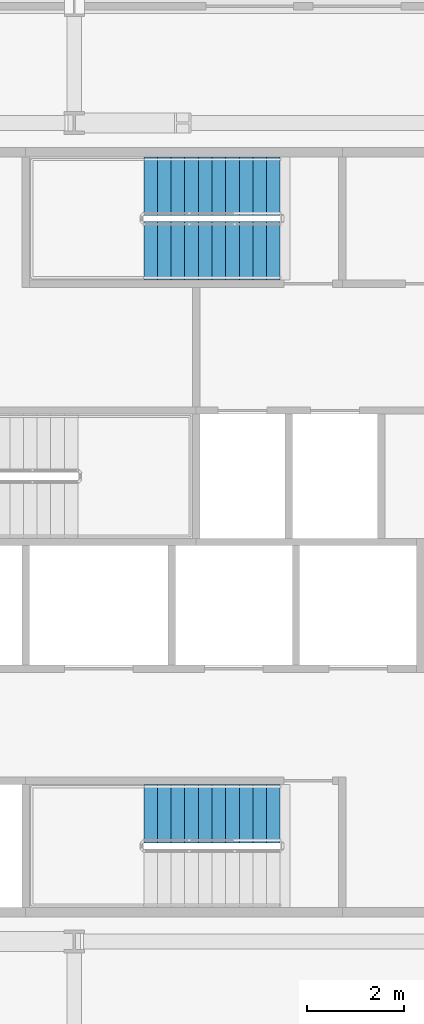
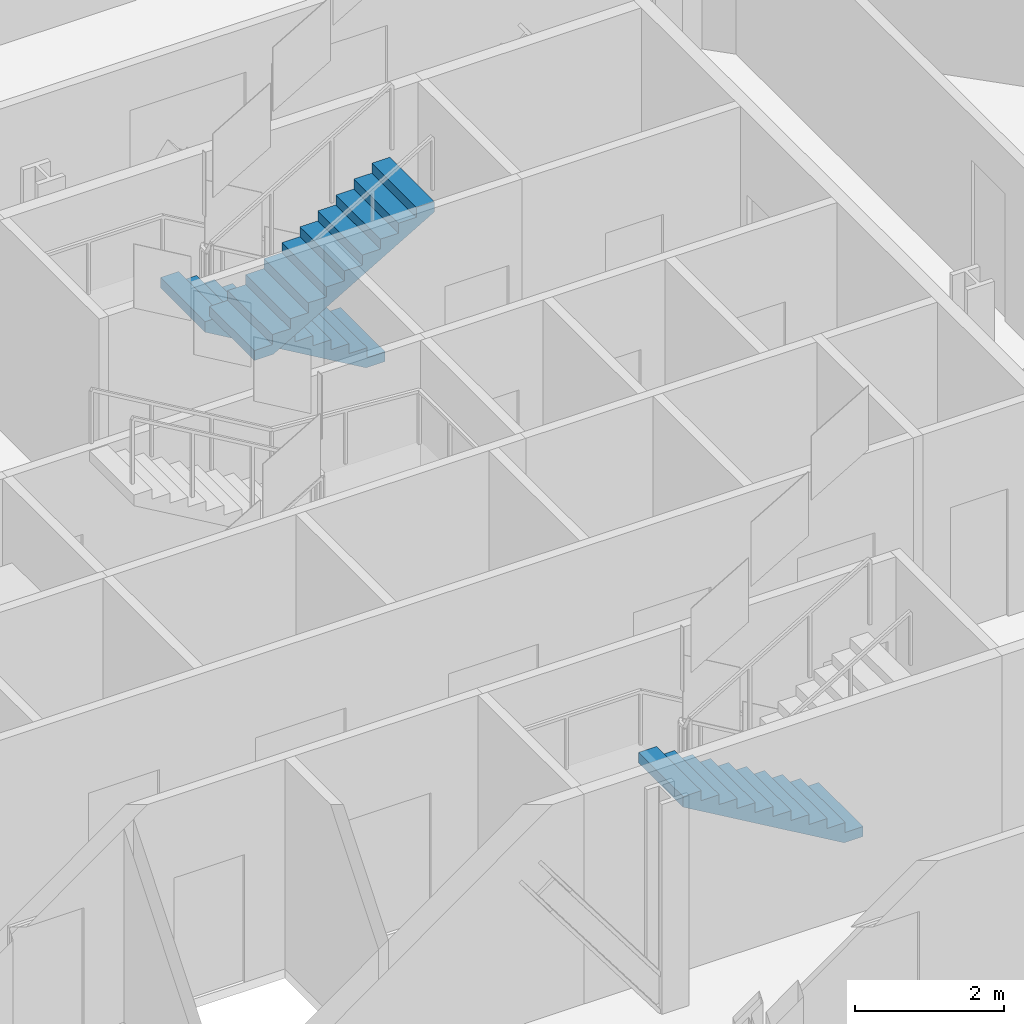
# One storey, part 16 of 24: 3 stair flights, 2 elements without a shape of their own.
"""IFC4 building model written with IfcOpenShell, lengths in metres."""

from ifc_helpers import new_model, si_unit, direction, frame, origin, place, context, subcontext, project, spatial, polyline, outline, extrude, material, type_object, element, aggregate, save


model = new_model("IFC4")

# Units and contexts
model_context = context("Model", 3, precision=1e-05, world=origin(), true_north=direction((0.0, 1.0)))
body_context = subcontext(model_context, "Body", "Model", "MODEL_VIEW")
ifc_project = project(units=[si_unit("LENGTHUNIT", "METRE"), si_unit("AREAUNIT", "SQUARE_METRE"), si_unit("VOLUMEUNIT", "CUBIC_METRE"), si_unit("PLANEANGLEUNIT", "RADIAN"), si_unit("MASSUNIT", "GRAM", prefix="KILO")], contexts=[model_context])

# Site, building, storey
site_placement = place(None, origin())
site = spatial("IfcSite", under=ifc_project, at=site_placement, CompositionType="ELEMENT")
building_placement = place(site_placement, origin())
building = spatial("IfcBuilding", under=site, at=building_placement, Name="Cairn Pilgrim Tower", CompositionType="ELEMENT")
storey_placement = place(building_placement, frame((0.0, 0.0, 125.39990234375)))
storey = spatial("IfcBuildingStorey", under=building, at=storey_placement, Name="L30", CompositionType="ELEMENT", Elevation=125.39990234375)

# Stair, stair flight
ifc_material = material(Name="Concrete C32/40", Category="concrete")
stair_type = type_object("IfcStairType", Name="EXIT STAIR 1200", PredefinedType="HALF_TURN_STAIR", material=ifc_material)
stair_1_placement = place(storey_placement, origin())
stair_1 = element("IfcStair", 1, at=stair_1_placement, inside=storey, type_object=stair_type, Name="L30 Exit Stair A", PredefinedType="HALF_TURN_STAIR")
stair_flight_type = type_object("IfcStairFlightType", Name="STAIR FLIGHT 1200", PredefinedType="STRAIGHT", material=ifc_material)
stair_flight_1_placement = place(storey_placement, frame((11.425048828125, -3.375, 0.0), z_axis=(0.0, 0.0, 1.0), x_axis=(-1.0, 0.0, 0.0)))
stair_flight_1 = element("IfcStairFlight", 2, at=stair_flight_1_placement, type_object=stair_flight_type, Name="ST-A flight 1", NumberOfRisers=11, NumberOfTreads=10, PredefinedType="STRAIGHT", RiserHeight=0.163636364, TreadLength=0.28, context=body_context, shape_type="SweptSolid", body=[
    extrude(outline(polyline([(0.0, 0.0), (0.0, 0.16357421875), (0.280029296875, 0.16357421875), (0.280029296875, 0.327392578125), (0.56005859375, 0.327392578125), (0.56005859375, 0.490966796875), (0.840087890625, 0.490966796875), (0.840087890625, 0.654541015625), (1.1201171875, 0.654541015625), (1.1201171875, 0.818115234375), (1.39990234375, 0.818115234375), (1.39990234375, 0.98193359375), (1.679931640625, 0.98193359375), (1.679931640625, 1.1455078125), (1.9599609375, 1.1455078125), (1.9599609375, 1.30908203125), (2.239990234375, 1.30908203125), (2.239990234375, 1.47265625), (2.52001953125, 1.47265625), (2.52001953125, 1.636474609375), (2.800048828125, 1.636474609375), (2.800048828125, 1.800048828125), (2.800048828125, 1.462646484375), (0.297119140625, 0.0), (0.0, 0.0)])), frame((0.0, 0.60009765625, 0.0), z_axis=(0.0, -1.0, 0.0), x_axis=(1.0, 0.0, 0.0)), (0.0, 0.0, 1.0), 1.199951171875),
])
aggregate(stair_1, [stair_flight_1])

# Stair, stair flights
stair_2_placement = place(storey_placement, origin())
stair_2 = element("IfcStair", 3, at=stair_2_placement, inside=storey, type_object=stair_type, Name="L30 Exit Stair C", PredefinedType="HALF_TURN_STAIR")
stair_flight_2_placement = place(storey_placement, frame((11.425048828125, 9.5, 0.0), z_axis=(0.0, 0.0, 1.0), x_axis=(-1.0, 0.0, 0.0)))
stair_flight_2 = element("IfcStairFlight", 4, at=stair_flight_2_placement, type_object=stair_flight_type, Name="ST-C flight 1", NumberOfRisers=11, NumberOfTreads=10, PredefinedType="STRAIGHT", RiserHeight=0.163636364, TreadLength=0.28, context=body_context, shape_type="SweptSolid", body=[
    extrude(outline(polyline([(0.0, 0.0), (0.0, 0.16357421875), (0.280029296875, 0.16357421875), (0.280029296875, 0.327392578125), (0.56005859375, 0.327392578125), (0.56005859375, 0.490966796875), (0.840087890625, 0.490966796875), (0.840087890625, 0.654541015625), (1.1201171875, 0.654541015625), (1.1201171875, 0.818115234375), (1.39990234375, 0.818115234375), (1.39990234375, 0.98193359375), (1.679931640625, 0.98193359375), (1.679931640625, 1.1455078125), (1.9599609375, 1.1455078125), (1.9599609375, 1.30908203125), (2.239990234375, 1.30908203125), (2.239990234375, 1.47265625), (2.52001953125, 1.47265625), (2.52001953125, 1.636474609375), (2.800048828125, 1.636474609375), (2.800048828125, 1.800048828125), (2.800048828125, 1.462646484375), (0.297119140625, 0.0), (0.0, 0.0)])), frame((0.0, 0.60009765625, 0.0), z_axis=(0.0, -1.0, 0.0), x_axis=(1.0, 0.0, 0.0)), (0.0, 0.0, 1.0), 1.199951171875),
])
stair_flight_3_placement = place(storey_placement, frame((8.625, 8.175048828125, 1.800048828125), z_axis=(0.0, 0.0, 1.0), x_axis=(1.0, 0.0, 0.0)))
stair_flight_3 = element("IfcStairFlight", 5, at=stair_flight_3_placement, type_object=stair_flight_type, Name="ST-C flight 2", NumberOfRisers=11, NumberOfTreads=10, PredefinedType="STRAIGHT", RiserHeight=0.163636364, TreadLength=0.28, context=body_context, shape_type="SweptSolid", body=[
    extrude(outline(polyline([(0.0, 0.0), (0.0, 0.16357421875), (0.280029296875, 0.16357421875), (0.280029296875, 0.327392578125), (0.56005859375, 0.327392578125), (0.56005859375, 0.490966796875), (0.840087890625, 0.490966796875), (0.840087890625, 0.654541015625), (1.1201171875, 0.654541015625), (1.1201171875, 0.818115234375), (1.39990234375, 0.818115234375), (1.39990234375, 0.98193359375), (1.679931640625, 0.98193359375), (1.679931640625, 1.1455078125), (1.9599609375, 1.1455078125), (1.9599609375, 1.30908203125), (2.239990234375, 1.30908203125), (2.239990234375, 1.47265625), (2.52001953125, 1.47265625), (2.52001953125, 1.636474609375), (2.800048828125, 1.636474609375), (2.800048828125, 1.800048828125), (2.800048828125, 1.462646484375), (0.297119140625, 0.0), (0.0, 0.0)])), frame((0.0, 0.60009765625, 0.0), z_axis=(0.0, -1.0, 0.0), x_axis=(1.0, 0.0, 0.0)), (0.0, 0.0, 1.0), 1.199951171875),
])
aggregate(stair_2, [stair_flight_2, stair_flight_3])

save(model, "model.ifc")
